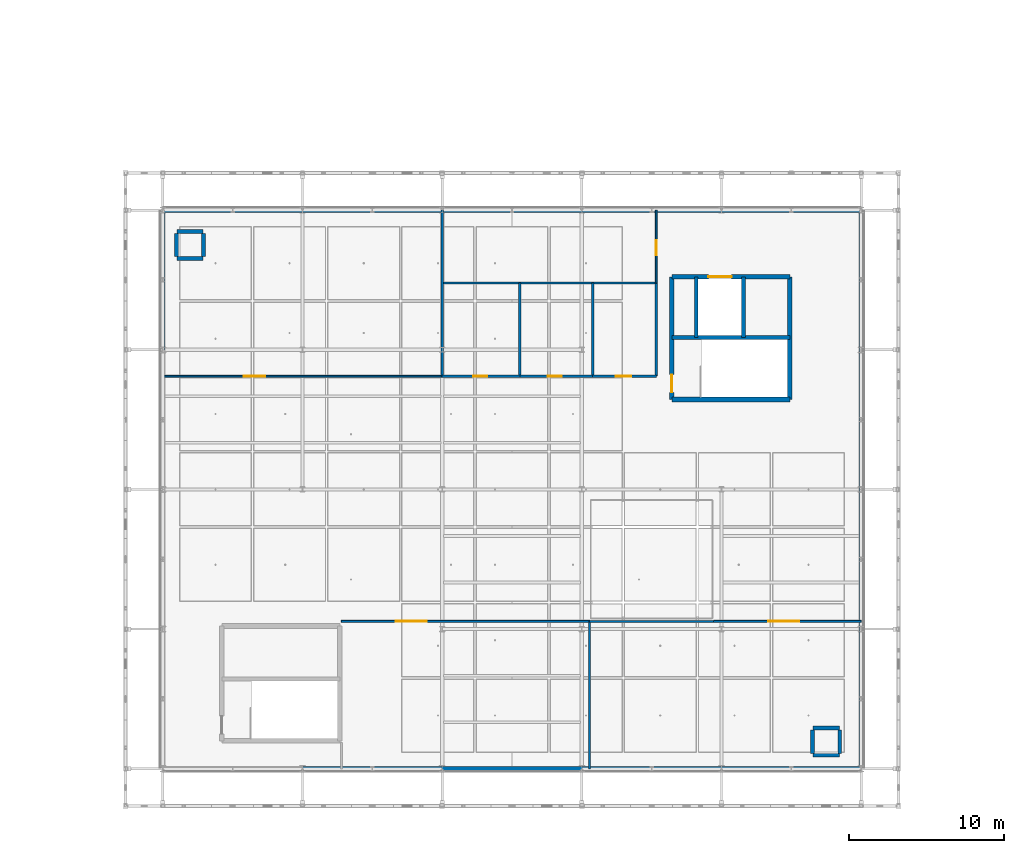
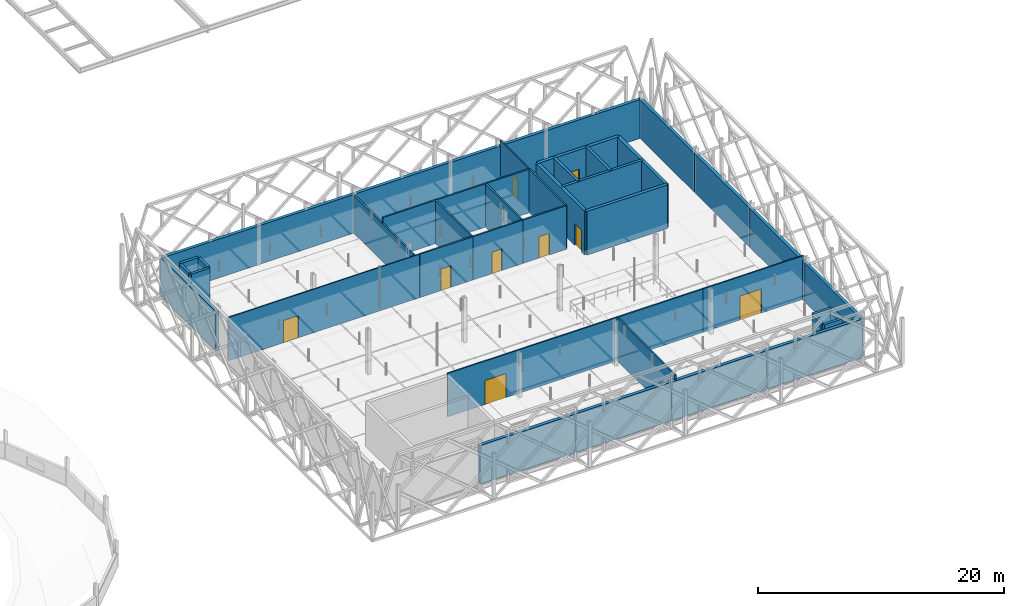
# One storey, part 44 of 66: 43 walls, 9 doors, 9 openings.
"""IFC4 building model written with IfcOpenShell, lengths in metres."""

from ifc_helpers import new_model, si_unit, direction, frame, frame_2d, origin, place, context, subcontext, project, spatial, rectangle, extrude, material, layer, layer_set, type_object, element, fill, save


model = new_model("IFC4")

# Units and contexts
model_context = context("Model", 3, precision=1e-05, world=origin(), true_north=direction((0.0, 1.0)))
body_context = subcontext(model_context, "Body", "Model", "MODEL_VIEW")
ifc_project = project(units=[si_unit("LENGTHUNIT", "METRE"), si_unit("AREAUNIT", "SQUARE_METRE"), si_unit("VOLUMEUNIT", "CUBIC_METRE"), si_unit("PLANEANGLEUNIT", "RADIAN"), si_unit("MASSUNIT", "GRAM", prefix="KILO"), si_unit("THERMODYNAMICTEMPERATUREUNIT", "KELVIN"), si_unit("POWERUNIT", "WATT")], contexts=[model_context])

# Site, building, storey
site_placement = place(None, origin())
site = spatial("IfcSite", under=ifc_project, at=site_placement, CompositionType="ELEMENT")
building_placement = place(site_placement, origin())
building = spatial("IfcBuilding", under=site, at=building_placement, Name="Tallowbark Science Centre", CompositionType="ELEMENT")
storey_placement = place(building_placement, frame((0.0, 0.0, 18.89990234375)))
storey = spatial("IfcBuildingStorey", under=building, at=storey_placement, Name="L04", CompositionType="ELEMENT", Elevation=18.89990234375)

# Walls
ifc_material_1 = material(Name="Spotted Gum Acoustic Cassette Wall Assembly", Category="wood")
ifc_layer_1 = layer(ifc_material_1, 0.294921875)
ifc_layer_set_1 = layer_set([ifc_layer_1], Name="Spotted Gum Acoustic Cassette Wall Assembly")
wall_type_1 = type_object("IfcWallType", Name="EWL-TIM-295", PredefinedType="STANDARD", material=ifc_layer_set_1)
for number, where, z_axis, x_axis, name in (
    (1, (67.5, 40.5, 0.0), (0.0, 0.0, 1.0), (-1.0, 0.0, 0.0), "Exterior Wall CUB-N-L04-0"),
    (2, (67.5, 4.5, 0.0), (0.0, 0.0, 1.0), (1.0, 0.0, 0.0), "Exterior Wall CUB-S-L04-1"),
    (3, (76.5, 40.5, 0.0), (0.0, 0.0, 1.0), (-1.0, 0.0, 0.0), "Exterior Wall CUB-N-L04-1"),
    (4, (76.5, 4.5, 0.0), (0.0, 0.0, 1.0), (1.0, 0.0, 0.0), "Exterior Wall CUB-S-L04-2"),
    (5, (85.5, 40.5, 0.0), (0.0, 0.0, 1.0), (-1.0, 0.0, 0.0), "Exterior Wall CUB-N-L04-2"),
    (6, (85.5, 4.5, 0.0), (0.0, 0.0, 1.0), (1.0, 0.0, 0.0), "Exterior Wall CUB-S-L04-3"),
    (7, (94.5, 40.5, 0.0), (0.0, 0.0, 1.0), (-1.0, 0.0, 0.0), "Exterior Wall CUB-N-L04-3"),
    (8, (94.5, 4.5, 0.0), (0.0, 0.0, 1.0), (1.0, 0.0, 0.0), "Exterior Wall CUB-S-L04-4"),
    (9, (103.5, 40.5, 0.0), (0.0, 0.0, 1.0), (-1.0, 0.0, 0.0), "Exterior Wall CUB-N-L04-4"),
    (10, (103.5, 4.5, 0.0), (0.0, 0.0, 1.0), (0.0, 1.0, 0.0), "Exterior Wall CUB-E-L04-0"),
    (11, (103.5, 13.5, 0.0), (0.0, 0.0, 1.0), (0.0, 1.0, 0.0), "Exterior Wall CUB-E-L04-1"),
    (12, (103.5, 22.5, 0.0), (0.0, 0.0, 1.0), (0.0, 1.0, 0.0), "Exterior Wall CUB-E-L04-2"),
    (13, (58.5, 40.5, 0.0), (0.0, 0.0, 1.0), (0.0, -1.0, 0.0), "Exterior Wall CUB-W-L04-3"),
    (14, (103.5, 31.5, 0.0), (0.0, 0.0, 1.0), (0.0, 1.0, 0.0), "Exterior Wall CUB-E-L04-3"),
):
    element("IfcWall", number, at=place(storey_placement, frame(where, z_axis=z_axis, x_axis=x_axis)), inside=storey, type_object=wall_type_1, Name=name, PredefinedType="STANDARD", context=body_context, shape_type="SweptSolid", body=[
        extrude(rectangle(XDim=9.0, YDim=0.294921875, at=frame_2d((4.5, 0.0))), origin(), (0.0, 0.0, 1.0), 3.84619140625),
    ])

# Wall, opening, door
ifc_material_2 = material(Name="116 mm Acoustic Steel Stud and 16 mm Fire-Rated Plasterboard", Category="steel")
ifc_layer_2 = layer(ifc_material_2, 0.115966796875)
ifc_layer_set_2 = layer_set([ifc_layer_2], Name="116 mm Acoustic Steel Stud and 16 mm Fire-Rated Plasterboard")
wall_type_2 = type_object("IfcWallType", Name="PTW-116", PredefinedType="PARTITIONING", material=ifc_layer_set_2)
wall_1_placement = place(storey_placement, frame((90.300048828125, 35.800048828125, 0.0), z_axis=(0.0, 0.0, 1.0), x_axis=(0.0, 1.0, 0.0)))
wall_1 = element("IfcWall", 15, at=wall_1_placement, inside=storey, type_object=wall_type_2, Name="Interior Partition PTW-L04-0296", PredefinedType="PARTITIONING", context=body_context, shape_type="SweptSolid", body=[
    extrude(rectangle(XDim=4.699951171875, YDim=0.115966796875, at=frame_2d((2.35009765625, 0.0))), origin(), (0.0, 0.0, 1.0), 4.320068359375),
])
opening_1_placement = place(wall_1_placement, frame((1.800048828125, 0.0, 0.0)))
opening_1 = element("IfcOpeningElement", 16, at=opening_1_placement, cuts=wall_1, Name="Opening ID-04", PredefinedType="OPENING", context=body_context, shape_type="SweptSolid", body=[
    extrude(rectangle(XDim=0.949951171875, YDim=2.14990234375, at=frame_2d((0.47509765625, 1.074951171875))), frame((0.0, 0.06787109375, 0.0), z_axis=(0.0, -1.0, 0.0), x_axis=(1.0, 0.0, 0.0)), (0.0, 0.0, 1.0), 0.135986328125),
])
ifc_material_3 = material(Name="Solid-Core Timber Veneer Leaf", Category="wood")
door_type_1 = type_object("IfcDoorType", Name="IDR-OFF-095", OperationType="NOTDEFINED", PredefinedType="DOOR", material=ifc_material_3)
door_1_placement = place(opening_1_placement, origin())
door_1 = element("IfcDoor", 17, at=door_1_placement, inside=storey, type_object=door_type_1, Name="Interior Door IDR-L04-0132", OperationType="SINGLE_SWING_LEFT", OverallHeight=2.14990234375, OverallWidth=0.949951171875, PredefinedType="DOOR", context=body_context, shape_type="SweptSolid", body=[
    extrude(rectangle(XDim=0.949951171875, YDim=2.14990234375, at=frame_2d((0.47509765625, 1.074951171875))), frame((0.0, 0.02490234375, 0.0), z_axis=(0.0, -1.0, 0.0), x_axis=(1.0, 0.0, 0.0)), (0.0, 0.0, 1.0), 0.050048828125),
])
fill(opening_1, door_1)

# Walls
ifc_material_4 = material(Name="132 mm Acoustic Laboratory Steel Stud Partition", Category="steel")
ifc_layer_3 = layer(ifc_material_4, 0.132080078125)
ifc_layer_set_3 = layer_set([ifc_layer_3], Name="132 mm Acoustic Laboratory Steel Stud Partition")
wall_type_3 = type_object("IfcWallType", Name="PTW-132", PredefinedType="PARTITIONING", material=ifc_layer_set_3)
wall_2_placement = place(storey_placement, frame((86.0, 4.5, 0.0), z_axis=(0.0, 0.0, 1.0), x_axis=(0.0, 1.0, 0.0)))
element("IfcWall", 18, at=wall_2_placement, inside=storey, type_object=wall_type_3, Name="Interior Partition PTW-L04-0284", PredefinedType="PARTITIONING", context=body_context, shape_type="SweptSolid", body=[
    extrude(rectangle(XDim=9.5, YDim=0.132080078125, at=frame_2d((4.75, 0.0))), origin(), (0.0, 0.0, 1.0), 4.320068359375),
])
wall_3_placement = place(storey_placement, frame((86.0, 14.0, 0.0), z_axis=(0.0, 0.0, 1.0), x_axis=(1.0, 0.0, 0.0)))
element("IfcWall", 19, at=wall_3_placement, inside=storey, type_object=wall_type_3, Name="Interior Partition PTW-L04-0286", PredefinedType="PARTITIONING", context=body_context, shape_type="SweptSolid", body=[
    extrude(rectangle(XDim=8.0, YDim=0.132080078125, at=frame_2d((4.0, 0.0))), origin(), (0.0, 0.0, 1.0), 4.320068359375),
])

# Wall, opening, door
ifc_material_5 = material(Name="150 mm Wet-Area Moisture-Resistant Partition")
ifc_layer_4 = layer(ifc_material_5, 0.14990234375)
ifc_layer_set_4 = layer_set([ifc_layer_4], Name="150 mm Wet-Area Moisture-Resistant Partition")
wall_type_4 = type_object("IfcWallType", Name="PTW-150", PredefinedType="PARTITIONING", material=ifc_layer_set_4)
wall_4_placement = place(storey_placement, frame((76.5, 29.800048828125, 0.0), z_axis=(0.0, 0.0, 1.0), x_axis=(1.0, 0.0, 0.0)))
wall_4 = element("IfcWall", 20, at=wall_4_placement, inside=storey, type_object=wall_type_4, Name="Interior Partition PTW-L04-0288", PredefinedType="PARTITIONING", context=body_context, shape_type="SweptSolid", body=[
    extrude(rectangle(XDim=5.0, YDim=0.14990234375, at=frame_2d((2.5, 0.0))), origin(), (0.0, 0.0, 1.0), 4.320068359375),
])
opening_2_placement = place(wall_4_placement, frame((2.0, 0.0, 0.0)))
opening_2 = element("IfcOpeningElement", 21, at=opening_2_placement, cuts=wall_4, Name="Opening ID-05", PredefinedType="OPENING", context=body_context, shape_type="SweptSolid", body=[
    extrude(rectangle(XDim=0.919921875, YDim=2.14990234375, at=frame_2d((0.4599609375, 1.074951171875))), frame((0.0, 0.0849609375, 0.0), z_axis=(0.0, -1.0, 0.0), x_axis=(1.0, 0.0, 0.0)), (0.0, 0.0, 1.0), 0.169921875),
])
ifc_material_6 = material(Name="Moisture-Resistant Laminate Leaf")
door_type_2 = type_object("IfcDoorType", Name="IDR-WC-092", OperationType="NOTDEFINED", PredefinedType="DOOR", material=ifc_material_6)
door_2_placement = place(opening_2_placement, origin())
door_2 = element("IfcDoor", 22, at=door_2_placement, inside=storey, type_object=door_type_2, Name="Interior Door IDR-L04-0129", OperationType="SINGLE_SWING_LEFT", OverallHeight=2.14990234375, OverallWidth=0.919921875, PredefinedType="DOOR", context=body_context, shape_type="SweptSolid", body=[
    extrude(rectangle(XDim=0.919921875, YDim=2.14990234375, at=frame_2d((0.4599609375, 1.074951171875))), frame((0.0, 0.02490234375, 0.0), z_axis=(0.0, -1.0, 0.0), x_axis=(1.0, 0.0, 0.0)), (0.0, 0.0, 1.0), 0.050048828125),
])
fill(opening_2, door_2)

wall_5_placement = place(storey_placement, frame((81.5, 29.800048828125, 0.0), z_axis=(0.0, 0.0, 1.0), x_axis=(1.0, 0.0, 0.0)))
wall_5 = element("IfcWall", 23, at=wall_5_placement, inside=storey, type_object=wall_type_4, Name="Interior Partition PTW-L04-0289", PredefinedType="PARTITIONING", context=body_context, shape_type="SweptSolid", body=[
    extrude(rectangle(XDim=4.699951171875, YDim=0.14990234375, at=frame_2d((2.35009765625, 0.0))), origin(), (0.0, 0.0, 1.0), 4.320068359375),
])
opening_3_placement = place(wall_5_placement, frame((1.800048828125, 0.0, 0.0)))
opening_3 = element("IfcOpeningElement", 24, at=opening_3_placement, cuts=wall_5, Name="Opening ID-05", PredefinedType="OPENING", context=body_context, shape_type="SweptSolid", body=[
    extrude(rectangle(XDim=0.919921875, YDim=2.14990234375, at=frame_2d((0.4599609375, 1.074951171875))), frame((0.0, 0.0849609375, 0.0), z_axis=(0.0, -1.0, 0.0), x_axis=(1.0, 0.0, 0.0)), (0.0, 0.0, 1.0), 0.169921875),
])
door_3_placement = place(opening_3_placement, origin())
door_3 = element("IfcDoor", 25, at=door_3_placement, inside=storey, type_object=door_type_2, Name="Interior Door IDR-L04-0130", OperationType="SINGLE_SWING_RIGHT", OverallHeight=2.14990234375, OverallWidth=0.919921875, PredefinedType="DOOR", context=body_context, shape_type="SweptSolid", body=[
    extrude(rectangle(XDim=0.919921875, YDim=2.14990234375, at=frame_2d((0.4599609375, 1.074951171875))), frame((0.0, 0.02490234375, 0.0), z_axis=(0.0, -1.0, 0.0), x_axis=(1.0, 0.0, 0.0)), (0.0, 0.0, 1.0), 0.050048828125),
])
fill(opening_3, door_3)

wall_6_placement = place(storey_placement, frame((86.199951171875, 29.800048828125, 0.0), z_axis=(0.0, 0.0, 1.0), x_axis=(1.0, 0.0, 0.0)))
wall_6 = element("IfcWall", 26, at=wall_6_placement, inside=storey, type_object=wall_type_4, Name="Interior Partition PTW-L04-0290", PredefinedType="PARTITIONING", context=body_context, shape_type="SweptSolid", body=[
    extrude(rectangle(XDim=4.10009765625, YDim=0.14990234375, at=frame_2d((2.050048828125, 0.0))), origin(), (0.0, 0.0, 1.0), 4.320068359375),
])
opening_4_placement = place(wall_6_placement, frame((1.5, 0.0, 0.0)))
opening_4 = element("IfcOpeningElement", 27, at=opening_4_placement, cuts=wall_6, Name="Opening ID-06", PredefinedType="OPENING", context=body_context, shape_type="SweptSolid", body=[
    extrude(rectangle(XDim=1.0, YDim=2.14990234375, at=frame_2d((0.5, 1.074951171875))), frame((0.0, 0.0849609375, 0.0), z_axis=(0.0, -1.0, 0.0), x_axis=(1.0, 0.0, 0.0)), (0.0, 0.0, 1.0), 0.169921875),
])
ifc_material_7 = material(Name="Accessible Cavity Sliding Leaf")
door_type_3 = type_object("IfcDoorType", Name="IDR-AWC-100", OperationType="SLIDING_TO_LEFT", PredefinedType="DOOR", material=ifc_material_7)
door_4_placement = place(opening_4_placement, origin())
door_4 = element("IfcDoor", 28, at=door_4_placement, inside=storey, type_object=door_type_3, Name="Interior Door IDR-L04-0131", OperationType="SLIDING_TO_LEFT", OverallHeight=2.14990234375, OverallWidth=1.0, PredefinedType="DOOR", context=body_context, shape_type="SweptSolid", body=[
    extrude(rectangle(XDim=1.0, YDim=2.14990234375, at=frame_2d((0.5, 1.074951171875))), frame((0.0, 0.02490234375, 0.0), z_axis=(0.0, -1.0, 0.0), x_axis=(1.0, 0.0, 0.0)), (0.0, 0.0, 1.0), 0.050048828125),
])
fill(opening_4, door_4)

# Walls
wall_7_placement = place(storey_placement, frame((76.5, 29.800048828125, 0.0), z_axis=(0.0, 0.0, 1.0), x_axis=(0.0, 1.0, 0.0)))
element("IfcWall", 29, at=wall_7_placement, inside=storey, type_object=wall_type_4, Name="Interior Partition PTW-L04-0291", PredefinedType="PARTITIONING", context=body_context, shape_type="SweptSolid", body=[
    extrude(rectangle(XDim=10.699951171875, YDim=0.14990234375, at=frame_2d((5.35009765625, 0.0))), origin(), (0.0, 0.0, 1.0), 3.77197265625),
])
for number, where, z_axis, x_axis, name in (
    (30, (81.5, 29.800048828125, 0.0), (0.0, 0.0, 1.0), (0.0, 1.0, 0.0), "Interior Partition PTW-L04-0292"),
    (31, (86.199951171875, 29.800048828125, 0.0), (0.0, 0.0, 1.0), (0.0, 1.0, 0.0), "Interior Partition PTW-L04-0293"),
):
    element("IfcWall", number, at=place(storey_placement, frame(where, z_axis=z_axis, x_axis=x_axis)), inside=storey, type_object=wall_type_4, Name=name, PredefinedType="PARTITIONING", context=body_context, shape_type="SweptSolid", body=[
        extrude(rectangle(XDim=6.0, YDim=0.14990234375, at=frame_2d((3.0, 0.0))), origin(), (0.0, 0.0, 1.0), 4.320068359375),
    ])
wall_8_placement = place(storey_placement, frame((76.5, 35.800048828125, 0.0), z_axis=(0.0, 0.0, 1.0), x_axis=(1.0, 0.0, 0.0)))
element("IfcWall", 32, at=wall_8_placement, inside=storey, type_object=wall_type_4, Name="Interior Partition PTW-L04-0294", PredefinedType="PARTITIONING", context=body_context, shape_type="SweptSolid", body=[
    extrude(rectangle(XDim=13.800048828125, YDim=0.14990234375, at=frame_2d((6.89990234375, 0.0))), origin(), (0.0, 0.0, 1.0), 4.320068359375),
])
wall_9_placement = place(storey_placement, frame((90.300048828125, 29.800048828125, 0.0), z_axis=(0.0, 0.0, 1.0), x_axis=(0.0, 1.0, 0.0)))
element("IfcWall", 33, at=wall_9_placement, inside=storey, type_object=wall_type_4, Name="Interior Partition PTW-L04-0295", PredefinedType="PARTITIONING", context=body_context, shape_type="SweptSolid", body=[
    extrude(rectangle(XDim=6.0, YDim=0.14990234375, at=frame_2d((3.0, 0.0))), origin(), (0.0, 0.0, 1.0), 4.320068359375),
])

# Wall, opening, door
ifc_material_8 = material(Name="108 mm Acoustic Double-Glazed Laboratory Partition")
ifc_layer_5 = layer(ifc_material_8, 0.10791015625)
ifc_layer_set_5 = layer_set([ifc_layer_5], Name="108 mm Acoustic Double-Glazed Laboratory Partition")
wall_type_5 = type_object("IfcWallType", Name="PTW-GLZ-108", PredefinedType="PARTITIONING", material=ifc_layer_set_5)
wall_10_placement = place(storey_placement, frame((58.5, 29.800048828125, 0.0), z_axis=(0.0, 0.0, 1.0), x_axis=(1.0, 0.0, 0.0)))
wall_10 = element("IfcWall", 34, at=wall_10_placement, inside=storey, type_object=wall_type_5, Name="Interior Partition PTW-L04-0287", PredefinedType="PARTITIONING", context=body_context, shape_type="SweptSolid", body=[
    extrude(rectangle(XDim=18.0, YDim=0.10791015625, at=frame_2d((9.0, 0.0))), origin(), (0.0, 0.0, 1.0), 4.320068359375),
])
opening_5_placement = place(wall_10_placement, frame((5.199951171875, 0.0, 0.0)))
opening_5 = element("IfcOpeningElement", 35, at=opening_5_placement, cuts=wall_10, Name="Opening ID-01", PredefinedType="OPENING", context=body_context, shape_type="SweptSolid", body=[
    extrude(rectangle(XDim=1.39990234375, YDim=2.199951171875, at=frame_2d((0.699951171875, 1.10009765625))), frame((0.0, 0.06396484375, 0.0), z_axis=(0.0, -1.0, 0.0), x_axis=(1.0, 0.0, 0.0)), (0.0, 0.0, 1.0), 0.1279296875),
])
ifc_material_9 = material(Name="Vision-Panel Leaf and Unequal Side Leaf")
door_type_4 = type_object("IfcDoorType", Name="IDR-LAB-140", OperationType="DOUBLE_DOOR_SINGLE_SWING", PredefinedType="DOOR", material=ifc_material_9)
door_5_placement = place(opening_5_placement, origin())
door_5 = element("IfcDoor", 36, at=door_5_placement, inside=storey, type_object=door_type_4, Name="Interior Door IDR-L04-0128", OperationType="DOUBLE_DOOR_SINGLE_SWING", OverallHeight=2.199951171875, OverallWidth=1.39990234375, PredefinedType="DOOR", context=body_context, shape_type="SweptSolid", body=[
    extrude(rectangle(XDim=1.39990234375, YDim=2.199951171875, at=frame_2d((0.699951171875, 1.10009765625))), frame((0.0, 0.02490234375, 0.0), z_axis=(0.0, -1.0, 0.0), x_axis=(1.0, 0.0, 0.0)), (0.0, 0.0, 1.0), 0.050048828125),
])
fill(opening_5, door_5)

ifc_material_10 = material(Name="125 mm Top-Hung Operable Acoustic Exhibition Partition")
ifc_layer_6 = layer(ifc_material_10, 0.125)
ifc_layer_set_6 = layer_set([ifc_layer_6], Name="125 mm Top-Hung Operable Acoustic Exhibition Partition")
wall_type_6 = type_object("IfcWallType", Name="PTW-MOV-125", PredefinedType="MOVABLE", material=ifc_layer_set_6)
wall_11_placement = place(storey_placement, frame((70.0, 14.0, 0.0), z_axis=(0.0, 0.0, 1.0), x_axis=(1.0, 0.0, 0.0)))
wall_11 = element("IfcWall", 37, at=wall_11_placement, inside=storey, type_object=wall_type_6, Name="Interior Partition PTW-L04-0283", PredefinedType="MOVABLE", context=body_context, shape_type="SweptSolid", body=[
    extrude(rectangle(XDim=16.0, YDim=0.125, at=frame_2d((8.0, 0.0))), origin(), (0.0, 0.0, 1.0), 4.320068359375),
])
opening_6_placement = place(wall_11_placement, frame((3.5, 0.0, 0.0)))
opening_6 = element("IfcOpeningElement", 38, at=opening_6_placement, cuts=wall_11, Name="Opening ID-02", PredefinedType="OPENING", context=body_context, shape_type="SweptSolid", body=[
    extrude(rectangle(XDim=2.0, YDim=2.39990234375, at=frame_2d((1.0, 1.199951171875))), frame((0.0, 0.072509765625, 0.0), z_axis=(0.0, -1.0, 0.0), x_axis=(1.0, 0.0, 0.0)), (0.0, 0.0, 1.0), 0.14501953125),
])
ifc_material_11 = material(Name="Spotted Gum Acoustic Gallery Pair", Category="wood")
door_type_5 = type_object("IfcDoorType", Name="IDR-GAL-200", OperationType="DOUBLE_DOOR_DOUBLE_SWING", PredefinedType="DOOR", material=ifc_material_11)
door_6_placement = place(opening_6_placement, origin())
door_6 = element("IfcDoor", 39, at=door_6_placement, inside=storey, type_object=door_type_5, Name="Interior Door IDR-L04-0126", OperationType="DOUBLE_DOOR_DOUBLE_SWING", OverallHeight=2.39990234375, OverallWidth=2.0, PredefinedType="DOOR", context=body_context, shape_type="SweptSolid", body=[
    extrude(rectangle(XDim=2.0, YDim=2.39990234375, at=frame_2d((1.0, 1.199951171875))), frame((0.0, 0.02490234375, 0.0), z_axis=(0.0, -1.0, 0.0), x_axis=(1.0, 0.0, 0.0)), (0.0, 0.0, 1.0), 0.050048828125),
])
fill(opening_6, door_6)

wall_12_placement = place(storey_placement, frame((94.0, 14.0, 0.0), z_axis=(0.0, 0.0, 1.0), x_axis=(1.0, 0.0, 0.0)))
wall_12 = element("IfcWall", 40, at=wall_12_placement, inside=storey, type_object=wall_type_6, Name="Interior Partition PTW-L04-0285", PredefinedType="MOVABLE", context=body_context, shape_type="SweptSolid", body=[
    extrude(rectangle(XDim=9.5, YDim=0.125, at=frame_2d((4.75, 0.0))), origin(), (0.0, 0.0, 1.0), 4.320068359375),
])
opening_7_placement = place(wall_12_placement, frame((3.5, 0.0, 0.0)))
opening_7 = element("IfcOpeningElement", 41, at=opening_7_placement, cuts=wall_12, Name="Opening ID-02", PredefinedType="OPENING", context=body_context, shape_type="SweptSolid", body=[
    extrude(rectangle(XDim=2.0, YDim=2.39990234375, at=frame_2d((1.0, 1.199951171875))), frame((0.0, 0.072509765625, 0.0), z_axis=(0.0, -1.0, 0.0), x_axis=(1.0, 0.0, 0.0)), (0.0, 0.0, 1.0), 0.14501953125),
])
door_7_placement = place(opening_7_placement, origin())
door_7 = element("IfcDoor", 42, at=door_7_placement, inside=storey, type_object=door_type_5, Name="Interior Door IDR-L04-0127", OperationType="DOUBLE_DOOR_DOUBLE_SWING", OverallHeight=2.39990234375, OverallWidth=2.0, PredefinedType="DOOR", context=body_context, shape_type="SweptSolid", body=[
    extrude(rectangle(XDim=2.0, YDim=2.39990234375, at=frame_2d((1.0, 1.199951171875))), frame((0.0, 0.02490234375, 0.0), z_axis=(0.0, -1.0, 0.0), x_axis=(1.0, 0.0, 0.0)), (0.0, 0.0, 1.0), 0.050048828125),
])
fill(opening_7, door_7)

ifc_material_12 = material(Name="Concrete Grade N40 (40 MPa)", Category="concrete")
ifc_layer_7 = layer(ifc_material_12, 0.300048828125)
ifc_layer_set_7 = layer_set([ifc_layer_7], Name="Concrete Grade N40 (40 MPa)")
wall_type_7 = type_object("IfcWallType", Name="WL-CORE-300", PredefinedType="SHEAR", material=ifc_layer_set_7)
wall_13_placement = place(storey_placement, frame((91.300048828125, 28.300048828125, 0.0), z_axis=(0.0, 0.0, 1.0), x_axis=(0.0, 1.0, 0.0)))
wall_13 = element("IfcWall", 43, at=wall_13_placement, inside=storey, type_object=wall_type_7, Name="Core C3 Shear Wall L04 W", PredefinedType="SHEAR", context=body_context, shape_type="SweptSolid", body=[
    extrude(rectangle(XDim=7.89990234375, YDim=0.300048828125, at=frame_2d((3.949951171875, 0.0))), origin(), (0.0, 0.0, 1.0), 4.340087890625),
])
opening_8_placement = place(wall_13_placement, frame((0.449951171875, 0.0, 0.0)))
opening_8 = element("IfcOpeningElement", 44, at=opening_8_placement, cuts=wall_13, Name="Opening FD-01", PredefinedType="OPENING", context=body_context, shape_type="SweptSolid", body=[
    extrude(rectangle(XDim=1.14990234375, YDim=2.14990234375, at=frame_2d((0.574951171875, 1.074951171875))), frame((0.0, 0.16015625, 0.0), z_axis=(0.0, -1.0, 0.0), x_axis=(1.0, 0.0, 0.0)), (0.0, 0.0, 1.0), 0.320068359375),
])
ifc_material_13 = material(Name="Fire-Rated Pressed Steel Frame and Solid Core Leaf", Category="steel")
door_type_6 = type_object("IfcDoorType", Name="FDR-STR-115", OperationType="NOTDEFINED", PredefinedType="DOOR", material=ifc_material_13)
door_8_placement = place(opening_8_placement, origin())
door_8 = element("IfcDoor", 45, at=door_8_placement, inside=storey, type_object=door_type_6, Name="Stair ST-03 Fire Door L04", OperationType="SINGLE_SWING_RIGHT", OverallHeight=2.14990234375, OverallWidth=1.14990234375, PredefinedType="DOOR", context=body_context, shape_type="SweptSolid", body=[
    extrude(rectangle(XDim=1.14990234375, YDim=2.14990234375, at=frame_2d((0.574951171875, 1.074951171875))), frame((0.0, 0.02490234375, 0.0), z_axis=(0.0, -1.0, 0.0), x_axis=(1.0, 0.0, 0.0)), (0.0, 0.0, 1.0), 0.050048828125),
])
fill(opening_8, door_8)

# Walls
wall_14_placement = place(storey_placement, frame((98.89990234375, 28.300048828125, 0.0), z_axis=(0.0, 0.0, 1.0), x_axis=(0.0, 1.0, 0.0)))
element("IfcWall", 46, at=wall_14_placement, inside=storey, type_object=wall_type_7, Name="Core C3 Shear Wall L04 E", PredefinedType="SHEAR", context=body_context, shape_type="SweptSolid", body=[
    extrude(rectangle(XDim=7.89990234375, YDim=0.300048828125, at=frame_2d((3.949951171875, 0.0))), origin(), (0.0, 0.0, 1.0), 4.340087890625),
])
wall_15_placement = place(storey_placement, frame((91.300048828125, 28.300048828125, 0.0), z_axis=(0.0, 0.0, 1.0), x_axis=(1.0, 0.0, 0.0)))
element("IfcWall", 47, at=wall_15_placement, inside=storey, type_object=wall_type_7, Name="Core C3 Shear Wall L04 S", PredefinedType="SHEAR", context=body_context, shape_type="SweptSolid", body=[
    extrude(rectangle(XDim=7.599853515625, YDim=0.300048828125, at=frame_2d((3.7998046875, 0.0))), origin(), (0.0, 0.0, 1.0), 4.340087890625),
])

# Wall, opening, door
wall_16_placement = place(storey_placement, frame((91.300048828125, 36.199951171875, 0.0), z_axis=(0.0, 0.0, 1.0), x_axis=(1.0, 0.0, 0.0)))
wall_16 = element("IfcWall", 48, at=wall_16_placement, inside=storey, type_object=wall_type_7, Name="Core C3 Shear Wall L04 N", PredefinedType="SHEAR", context=body_context, shape_type="SweptSolid", body=[
    extrude(rectangle(XDim=7.599853515625, YDim=0.300048828125, at=frame_2d((3.7998046875, 0.0))), origin(), (0.0, 0.0, 1.0), 4.340087890625),
])
opening_9_placement = place(wall_16_placement, frame((2.35009765625, 0.0, 0.0)))
opening_9 = element("IfcOpeningElement", 49, at=opening_9_placement, cuts=wall_16, Name="Opening LD-02", PredefinedType="OPENING", context=body_context, shape_type="SweptSolid", body=[
    extrude(rectangle(XDim=1.5, YDim=2.39990234375, at=frame_2d((0.75, 1.199951171875))), frame((0.0, 0.16015625, 0.0), z_axis=(0.0, -1.0, 0.0), x_axis=(1.0, 0.0, 0.0)), (0.0, 0.0, 1.0), 0.320068359375),
])
ifc_material_14 = material(Name="Heavy-Duty Goods and Stretcher Lift Landing Door")
door_type_7 = type_object("IfcDoorType", Name="LDR-GDS-150", OperationType="DOUBLE_DOOR_SLIDING", PredefinedType="DOOR", material=ifc_material_14)
door_9_placement = place(opening_9_placement, origin())
door_9 = element("IfcDoor", 50, at=door_9_placement, inside=storey, type_object=door_type_7, Name="Lift LF-06 Landing Door L04", OperationType="DOUBLE_DOOR_SLIDING", OverallHeight=2.39990234375, OverallWidth=1.5, PredefinedType="DOOR", context=body_context, shape_type="SweptSolid", body=[
    extrude(rectangle(XDim=1.5, YDim=2.39990234375, at=frame_2d((0.75, 1.199951171875))), frame((0.0, 0.02490234375, 0.0), z_axis=(0.0, -1.0, 0.0), x_axis=(1.0, 0.0, 0.0)), (0.0, 0.0, 1.0), 0.050048828125),
])
fill(opening_9, door_9)

# Walls
ifc_layer_8 = layer(ifc_material_12, 0.25)
ifc_layer_set_8 = layer_set([ifc_layer_8], Name="Concrete Grade N40 (40 MPa)")
wall_type_8 = type_object("IfcWallType", Name="WL-SHAFT-250", PredefinedType="SHEAR", material=ifc_layer_set_8)
wall_17_placement = place(storey_placement, frame((91.300048828125, 32.294921875, 0.0), z_axis=(0.0, 0.0, 1.0), x_axis=(1.0, 0.0, 0.0)))
element("IfcWall", 51, at=wall_17_placement, inside=storey, type_object=wall_type_8, Name="Core C3 Shear Wall L04 MID", PredefinedType="SHEAR", context=body_context, shape_type="SweptSolid", body=[
    extrude(rectangle(XDim=7.599853515625, YDim=0.25, at=frame_2d((3.7998046875, 0.0))), origin(), (0.0, 0.0, 1.0), 4.340087890625),
])
for number, where, z_axis, x_axis, name in (
    (52, (92.875, 32.294921875, 0.0), (0.0, 0.0, 1.0), (0.0, 1.0, 0.0), "Core C3 Shear Wall L04 LW"),
    (53, (95.925048828125, 32.294921875, 0.0), (0.0, 0.0, 1.0), (0.0, 1.0, 0.0), "Core C3 Shear Wall L04 LE"),
):
    element("IfcWall", number, at=place(storey_placement, frame(where, z_axis=z_axis, x_axis=x_axis)), inside=storey, type_object=wall_type_8, Name=name, PredefinedType="SHEAR", context=body_context, shape_type="SweptSolid", body=[
        extrude(rectangle(XDim=3.905029296875, YDim=0.25, at=frame_2d((1.95263671875, 0.0))), origin(), (0.0, 0.0, 1.0), 4.340087890625),
    ])
for number, where, z_axis, x_axis, name in (
    (54, (59.39990234375, 37.375, 0.0), (0.0, 0.0, 1.0), (1.0, 0.0, 0.0), "Service Riser Shaft Wall RSR-CUB-W L04 S"),
    (55, (59.39990234375, 39.125, 0.0), (0.0, 0.0, 1.0), (1.0, 0.0, 0.0), "Service Riser Shaft Wall RSR-CUB-W L04 N"),
):
    element("IfcWall", number, at=place(storey_placement, frame(where, z_axis=z_axis, x_axis=x_axis)), inside=storey, type_object=wall_type_8, Name=name, PredefinedType="SHEAR", context=body_context, shape_type="SweptSolid", body=[
        extrude(rectangle(XDim=1.7001953125, YDim=0.25, at=frame_2d((0.85009765625, 0.0))), origin(), (0.0, 0.0, 1.0), 3.77001953125),
    ])
for number, where, z_axis, x_axis, name in (
    (56, (59.375, 37.5, 0.0), (0.0, 0.0, 1.0), (0.0, 1.0, 0.0), "Service Riser Shaft Wall RSR-CUB-W L04 W"),
    (57, (61.125, 37.5, 0.0), (0.0, 0.0, 1.0), (0.0, 1.0, 0.0), "Service Riser Shaft Wall RSR-CUB-W L04 E"),
):
    element("IfcWall", number, at=place(storey_placement, frame(where, z_axis=z_axis, x_axis=x_axis)), inside=storey, type_object=wall_type_8, Name=name, PredefinedType="SHEAR", context=body_context, shape_type="SweptSolid", body=[
        extrude(rectangle(XDim=1.5, YDim=0.25, at=frame_2d((0.75, 0.0))), origin(), (0.0, 0.0, 1.0), 3.77001953125),
    ])
for number, where, z_axis, x_axis, name in (
    (58, (100.39990234375, 5.375, 0.0), (0.0, 0.0, 1.0), (1.0, 0.0, 0.0), "Service Riser Shaft Wall RSR-CUB-E L04 S"),
    (59, (100.39990234375, 7.125, 0.0), (0.0, 0.0, 1.0), (1.0, 0.0, 0.0), "Service Riser Shaft Wall RSR-CUB-E L04 N"),
):
    element("IfcWall", number, at=place(storey_placement, frame(where, z_axis=z_axis, x_axis=x_axis)), inside=storey, type_object=wall_type_8, Name=name, PredefinedType="SHEAR", context=body_context, shape_type="SweptSolid", body=[
        extrude(rectangle(XDim=1.7001953125, YDim=0.25, at=frame_2d((0.85009765625, 0.0))), origin(), (0.0, 0.0, 1.0), 3.77001953125),
    ])
for number, where, z_axis, x_axis, name in (
    (60, (100.375, 5.5, 0.0), (0.0, 0.0, 1.0), (0.0, 1.0, 0.0), "Service Riser Shaft Wall RSR-CUB-E L04 W"),
    (61, (102.125, 5.5, 0.0), (0.0, 0.0, 1.0), (0.0, 1.0, 0.0), "Service Riser Shaft Wall RSR-CUB-E L04 E"),
):
    element("IfcWall", number, at=place(storey_placement, frame(where, z_axis=z_axis, x_axis=x_axis)), inside=storey, type_object=wall_type_8, Name=name, PredefinedType="SHEAR", context=body_context, shape_type="SweptSolid", body=[
        extrude(rectangle(XDim=1.5, YDim=0.25, at=frame_2d((0.75, 0.0))), origin(), (0.0, 0.0, 1.0), 3.77001953125),
    ])

save(model, "model.ifc")
